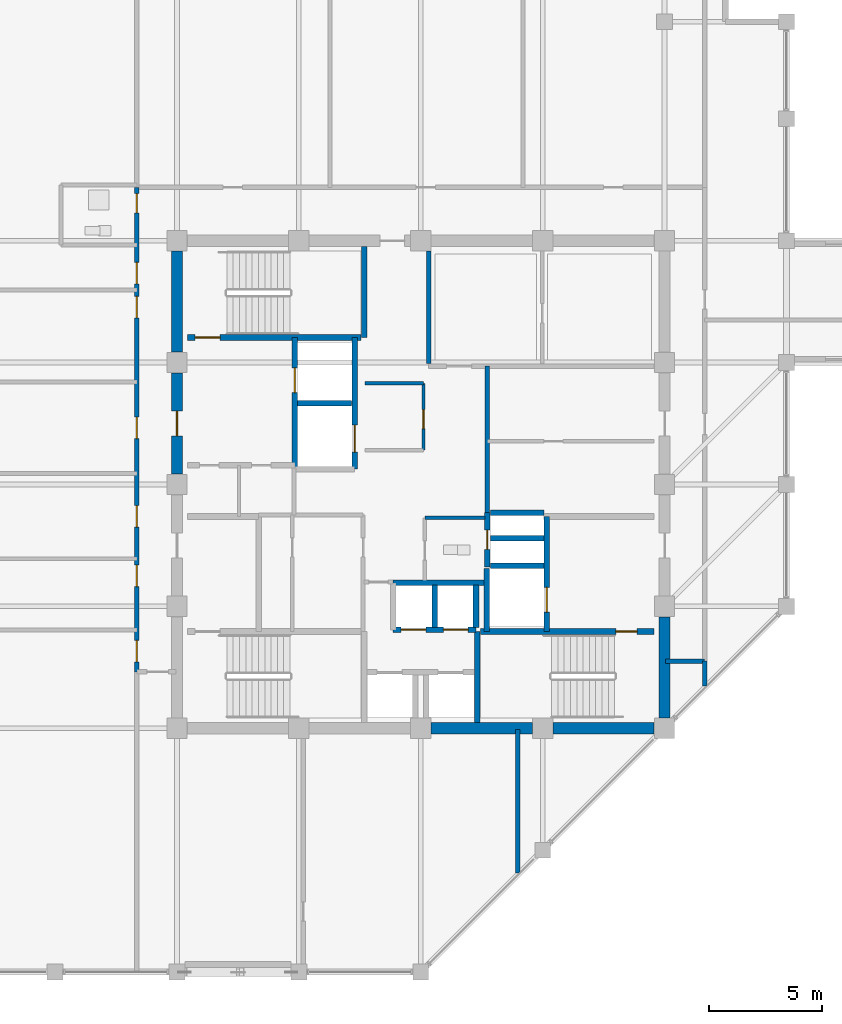
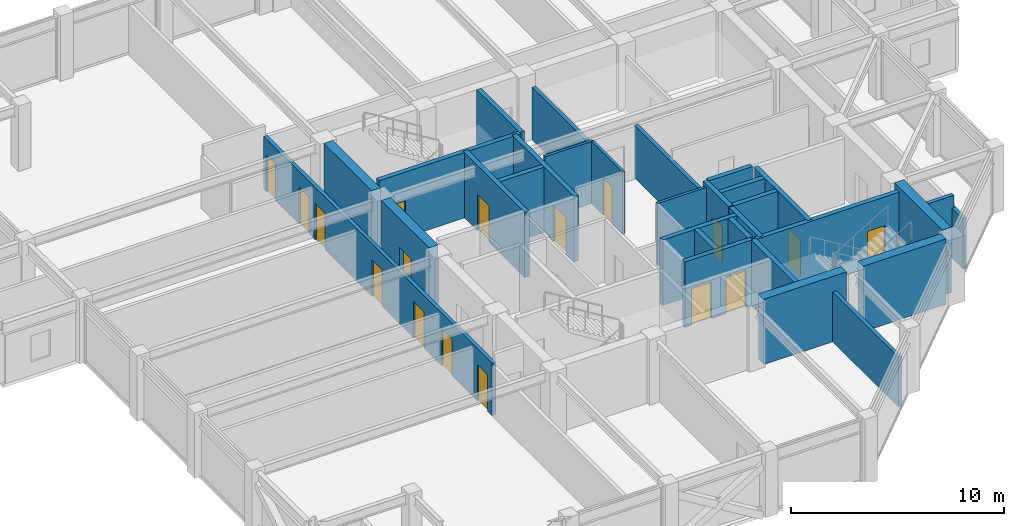
# One storey, part 26 of 31: 31 walls, 17 doors, 17 openings.
"""IFC4 building model written with IfcOpenShell, lengths in metres."""

from ifc_helpers import new_model, si_unit, direction, frame, frame_2d, origin, place, context, subcontext, project, spatial, rectangle, extrude, material, layer, layer_set, type_object, element, fill, save


model = new_model("IFC4")

# Units and contexts
model_context = context("Model", 3, precision=1e-05, world=origin(), true_north=direction((0.0, 1.0)))
body_context = subcontext(model_context, "Body", "Model", "MODEL_VIEW")
ifc_project = project(units=[si_unit("LENGTHUNIT", "METRE"), si_unit("AREAUNIT", "SQUARE_METRE"), si_unit("VOLUMEUNIT", "CUBIC_METRE"), si_unit("PLANEANGLEUNIT", "RADIAN"), si_unit("MASSUNIT", "GRAM", prefix="KILO")], contexts=[model_context])

# Site, building, storey
site_placement = place(None, origin())
site = spatial("IfcSite", under=ifc_project, at=site_placement, CompositionType="ELEMENT")
building_placement = place(site_placement, origin())
building = spatial("IfcBuilding", under=site, at=building_placement, Name="Surkhivell Harbour Commons", CompositionType="ELEMENT")
storey_placement = place(building_placement, frame((0.0, 0.0, 262.5)))
storey = spatial("IfcBuildingStorey", under=building, at=storey_placement, Name="L68", CompositionType="ELEMENT", Elevation=262.5)

# Walls
ifc_material_1 = material(Name="Concrete C50/60", Category="concrete")
ifc_layer_1 = layer(ifc_material_1, 0.5)
ifc_layer_set_1 = layer_set([ifc_layer_1], Name="Concrete C50/60")
wall_type_1 = type_object("IfcWallType", Name="WAL-CORE-500", PredefinedType="SHEAR", material=ifc_layer_set_1)
for number, where, z_axis, x_axis, name in (
    (1, (10.800048828125, -10.340087890625, 0.0), (0.0, 0.0, 1.0), (0.0, 1.0, 0.0), "L68 Core Shear Wall East 1"),
    (2, (0.4599609375, -10.800048828125, 0.0), (0.0, 0.0, 1.0), (1.0, 0.0, 0.0), "L68 Core Shear Wall South 3"),
):
    element("IfcWall", number, at=place(storey_placement, frame(where, z_axis=z_axis, x_axis=x_axis)), inside=storey, type_object=wall_type_1, Name=name, PredefinedType="SHEAR", context=body_context, shape_type="SweptSolid", body=[
        extrude(rectangle(XDim=4.47998046875, YDim=0.5, at=frame_2d((2.239990234375, 0.0))), origin(), (0.0, 0.0, 1.0), 3.75),
    ])

# Wall, opening, door
wall_1_placement = place(storey_placement, frame((-10.800048828125, 0.4599609375, 0.0), z_axis=(0.0, 0.0, 1.0), x_axis=(0.0, 1.0, 0.0)))
wall_1 = element("IfcWall", 3, at=wall_1_placement, inside=storey, type_object=wall_type_1, Name="L68 Core Shear Wall West 3", PredefinedType="SHEAR", context=body_context, shape_type="SweptSolid", body=[
    extrude(rectangle(XDim=4.47998046875, YDim=0.5, at=frame_2d((2.239990234375, 0.0))), origin(), (0.0, 0.0, 1.0), 3.75),
])
opening_1_placement = place(wall_1_placement, frame((1.68994140625, 0.0, 0.0)))
opening_1 = element("IfcOpeningElement", 4, at=opening_1_placement, cuts=wall_1, Name="Opening ID-1", PredefinedType="OPENING", context=body_context, shape_type="SweptSolid", body=[
    extrude(rectangle(XDim=1.10009765625, YDim=2.10009765625, at=frame_2d((0.550048828125, 1.050048828125))), frame((0.0, 0.260009765625, 0.0), z_axis=(0.0, -1.0, 0.0), x_axis=(1.0, 0.0, 0.0)), (0.0, 0.0, 1.0), 0.52001953125),
])
ifc_material_2 = material(Name="Hardwood-veneered fire-rated door leaf", Category="wood")
door_type_1 = type_object("IfcDoorType", Name="DOR-FD120-1100", OperationType="NOTDEFINED", PredefinedType="DOOR", material=ifc_material_2)
door_1_placement = place(opening_1_placement, origin())
door_1 = element("IfcDoor", 5, at=door_1_placement, inside=storey, type_object=door_type_1, Name="L68 Firefighting Lobby 1 Corridor Door", OperationType="SINGLE_SWING_LEFT", OverallHeight=2.10009765625, OverallWidth=1.10009765625, PredefinedType="DOOR", context=body_context, shape_type="SweptSolid", body=[
    extrude(rectangle(XDim=1.10009765625, YDim=2.10009765625, at=frame_2d((0.550048828125, 1.050048828125))), frame((0.0, 0.02490234375, 0.0), z_axis=(0.0, -1.0, 0.0), x_axis=(1.0, 0.0, 0.0)), (0.0, 0.0, 1.0), 0.050048828125),
])
fill(opening_1, door_1)

# Walls
for number, where, z_axis, x_axis, name in (
    (6, (5.860107421875, -10.800048828125, 0.0), (0.0, 0.0, 1.0), (1.0, 0.0, 0.0), "L68 Core Shear Wall South 4"),
    (7, (-10.800048828125, 5.860107421875, 0.0), (0.0, 0.0, 1.0), (0.0, 1.0, 0.0), "L68 Core Shear Wall West 4"),
):
    element("IfcWall", number, at=place(storey_placement, frame(where, z_axis=z_axis, x_axis=x_axis)), inside=storey, type_object=wall_type_1, Name=name, PredefinedType="SHEAR", context=body_context, shape_type="SweptSolid", body=[
        extrude(rectangle(XDim=4.47998046875, YDim=0.5, at=frame_2d((2.239990234375, 0.0))), origin(), (0.0, 0.0, 1.0), 3.75),
    ])
ifc_material_3 = material(Name="Twin-stud acoustic fireboard partition", Category="other")
ifc_layer_2 = layer(ifc_material_3, 0.14990234375)
ifc_layer_set_2 = layer_set([ifc_layer_2], Name="Twin-stud acoustic fireboard partition")
wall_type_2 = type_object("IfcWallType", Name="WAL-INT-150", PredefinedType="PARTITIONING", material=ifc_layer_set_2)
wall_2_placement = place(storey_placement, frame((0.179931640625, -1.47998046875, 0.0), z_axis=(0.0, 0.0, 1.0), x_axis=(1.0, 0.0, 0.0)))
element("IfcWall", 8, at=wall_2_placement, inside=storey, type_object=wall_type_2, Name="L68 Core Accessible WC North Wall", PredefinedType="PARTITIONING", context=body_context, shape_type="SweptSolid", body=[
    extrude(rectangle(XDim=2.670166015625, YDim=0.14990234375, at=frame_2d((1.3349609375, 0.0))), origin(), (0.0, 0.0, 1.0), 3.570068359375),
])

# Wall, opening, door
wall_3_placement = place(storey_placement, frame((0.1201171875, 1.52001953125, 0.0), z_axis=(0.0, 0.0, 1.0), x_axis=(0.0, 1.0, 0.0)))
wall_3 = element("IfcWall", 9, at=wall_3_placement, inside=storey, type_object=wall_type_2, Name="L68 Central Reading East Wall", PredefinedType="PARTITIONING", context=body_context, shape_type="SweptSolid", body=[
    extrude(rectangle(XDim=2.9599609375, YDim=0.14990234375, at=frame_2d((1.47998046875, 0.0))), origin(), (0.0, 0.0, 1.0), 3.570068359375),
])
opening_2_placement = place(wall_3_placement, frame((0.949951171875, 0.0, 0.0)))
opening_2 = element("IfcOpeningElement", 10, at=opening_2_placement, cuts=wall_3, Name="Opening ID-6", PredefinedType="OPENING", context=body_context, shape_type="SweptSolid", body=[
    extrude(rectangle(XDim=0.85009765625, YDim=2.10009765625, at=frame_2d((0.425048828125, 1.050048828125))), frame((0.0, 0.0849609375, 0.0), z_axis=(0.0, -1.0, 0.0), x_axis=(1.0, 0.0, 0.0)), (0.0, 0.0, 1.0), 0.169921875),
])
door_type_2 = type_object("IfcDoorType", Name="DOR-FD30-850", OperationType="NOTDEFINED", PredefinedType="DOOR", material=ifc_material_2)
door_2_placement = place(opening_2_placement, origin())
door_2 = element("IfcDoor", 11, at=door_2_placement, inside=storey, type_object=door_type_2, Name="L68 Central Core Reading Door", OperationType="SINGLE_SWING_RIGHT", OverallHeight=2.10009765625, OverallWidth=0.85009765625, PredefinedType="DOOR", context=body_context, shape_type="SweptSolid", body=[
    extrude(rectangle(XDim=0.85009765625, YDim=2.10009765625, at=frame_2d((0.425048828125, 1.050048828125))), frame((0.0, 0.02490234375, 0.0), z_axis=(0.0, -1.0, 0.0), x_axis=(1.0, 0.0, 0.0)), (0.0, 0.0, 1.0), 0.050048828125),
])
fill(opening_2, door_2)

# Walls
wall_4_placement = place(storey_placement, frame((-2.47998046875, 4.47998046875, 0.0), z_axis=(0.0, 0.0, 1.0), x_axis=(1.0, 0.0, 0.0)))
element("IfcWall", 12, at=wall_4_placement, inside=storey, type_object=wall_type_2, Name="L68 Central Reading North Wall", PredefinedType="PARTITIONING", context=body_context, shape_type="SweptSolid", body=[
    extrude(rectangle(XDim=2.60009765625, YDim=0.14990234375, at=frame_2d((1.300048828125, 0.0))), origin(), (0.0, 0.0, 1.0), 3.570068359375),
])
ifc_material_4 = material(Name="Autoclaved aerated concrete blockwork and fire plaster", Category="masonry")
ifc_layer_3 = layer(ifc_material_4, 0.199951171875)
ifc_layer_set_3 = layer_set([ifc_layer_3], Name="Autoclaved aerated concrete blockwork and fire plaster")
wall_type_3 = type_object("IfcWallType", Name="WAL-INT-200", PredefinedType="PARTITIONING", material=ifc_layer_set_3)
wall_5_placement = place(storey_placement, frame((0.35009765625, 5.360107421875, 0.0), z_axis=(0.0, 0.0, 1.0), x_axis=(0.0, 1.0, 0.0)))
element("IfcWall", 13, at=wall_5_placement, inside=storey, type_object=wall_type_3, Name="L68 Reclaimed Core North Bay West Wall", PredefinedType="PARTITIONING", context=body_context, shape_type="SweptSolid", body=[
    extrude(rectangle(XDim=4.97998046875, YDim=0.199951171875, at=frame_2d((2.489990234375, 0.0))), origin(), (0.0, 0.0, 1.0), 3.012939453125),
])
wall_6_placement = place(storey_placement, frame((12.580078125, -8.93505859375, 0.0), z_axis=(0.0, 0.0, 1.0), x_axis=(0.0, 1.0, 0.0)))
element("IfcWall", 14, at=wall_6_placement, inside=storey, type_object=wall_type_3, Name="L68 East Wing South Closure Wall", PredefinedType="PARTITIONING", context=body_context, shape_type="SweptSolid", body=[
    extrude(rectangle(XDim=1.114990234375, YDim=0.199951171875, at=frame_2d((0.5576171875, 0.0))), origin(), (0.0, 0.0, 1.0), 2.85693359375),
])
wall_7_placement = place(storey_placement, frame((10.85009765625, -7.820068359375, 0.0), z_axis=(0.0, 0.0, 1.0), x_axis=(1.0, 0.0, 0.0)))
element("IfcWall", 15, at=wall_7_placement, inside=storey, type_object=wall_type_3, Name="L68 East Corridor South Closure Wall", PredefinedType="PARTITIONING", context=body_context, shape_type="SweptSolid", body=[
    extrude(rectangle(XDim=1.72998046875, YDim=0.199951171875, at=frame_2d((0.864990234375, 0.0))), origin(), (0.0, 0.0, 1.0), 3.570068359375),
])
wall_8_placement = place(storey_placement, frame((4.300048828125, -17.215087890625, 0.0), z_axis=(0.0, 0.0, 1.0), x_axis=(0.0, 1.0, 0.0)))
element("IfcWall", 16, at=wall_8_placement, inside=storey, type_object=wall_type_3, Name="L68 South Hall East Wall", PredefinedType="PARTITIONING", context=body_context, shape_type="SweptSolid", body=[
    extrude(rectangle(XDim=6.364990234375, YDim=0.199951171875, at=frame_2d((3.1826171875, 0.0))), origin(), (0.0, 0.0, 1.0), 2.85693359375),
])

# Wall, openings, doors
wall_9_placement = place(storey_placement, frame((-12.580078125, -8.300048828125, 0.0), z_axis=(0.0, 0.0, 1.0), x_axis=(0.0, 1.0, 0.0)))
wall_9 = element("IfcWall", 17, at=wall_9_placement, inside=storey, type_object=wall_type_3, Name="L68 West Corridor Wall", PredefinedType="PARTITIONING", context=body_context, shape_type="SweptSolid", body=[
    extrude(rectangle(XDim=21.4599609375, YDim=0.199951171875, at=frame_2d((10.72998046875, 0.0))), origin(), (0.0, 0.0, 1.0), 3.012939453125),
])
opening_3_placement = place(wall_9_placement, frame((0.445068359375, 0.0, 0.0)))
opening_3 = element("IfcOpeningElement", 18, at=opening_3_placement, cuts=wall_9, Name="Opening ID-4", PredefinedType="OPENING", context=body_context, shape_type="SweptSolid", body=[
    extrude(rectangle(XDim=0.949951171875, YDim=2.10009765625, at=frame_2d((0.47509765625, 1.050048828125))), frame((0.0, 0.10986328125, 0.0), z_axis=(0.0, -1.0, 0.0), x_axis=(1.0, 0.0, 0.0)), (0.0, 0.0, 1.0), 0.219970703125),
])
opening_4_placement = place(wall_9_placement, frame((20.330078125, 0.0, 0.0)))
opening_4 = element("IfcOpeningElement", 19, at=opening_4_placement, cuts=wall_9, Name="Opening ID-6", PredefinedType="OPENING", context=body_context, shape_type="SweptSolid", body=[
    extrude(rectangle(XDim=0.85009765625, YDim=2.10009765625, at=frame_2d((0.425048828125, 1.050048828125))), frame((0.0, 0.10986328125, 0.0), z_axis=(0.0, -1.0, 0.0), x_axis=(1.0, 0.0, 0.0)), (0.0, 0.0, 1.0), 0.219970703125),
])
opening_5_placement = place(wall_9_placement, frame((17.18994140625, 0.0, 0.0)))
opening_5 = element("IfcOpeningElement", 20, at=opening_5_placement, cuts=wall_9, Name="Opening ID-4", PredefinedType="OPENING", context=body_context, shape_type="SweptSolid", body=[
    extrude(rectangle(XDim=0.949951171875, YDim=2.10009765625, at=frame_2d((0.47509765625, 1.050048828125))), frame((0.0, 0.10986328125, 0.0), z_axis=(0.0, -1.0, 0.0), x_axis=(1.0, 0.0, 0.0)), (0.0, 0.0, 1.0), 0.219970703125),
])
opening_6_placement = place(wall_9_placement, frame((3.780029296875, 0.0, 0.0)))
opening_6 = element("IfcOpeningElement", 21, at=opening_6_placement, cuts=wall_9, Name="Opening ID-4", PredefinedType="OPENING", context=body_context, shape_type="SweptSolid", body=[
    extrude(rectangle(XDim=0.949951171875, YDim=2.10009765625, at=frame_2d((0.47509765625, 1.050048828125))), frame((0.0, 0.10986328125, 0.0), z_axis=(0.0, -1.0, 0.0), x_axis=(1.0, 0.0, 0.0)), (0.0, 0.0, 1.0), 0.219970703125),
])
opening_7_placement = place(wall_9_placement, frame((6.4150390625, 0.0, 0.0)))
opening_7 = element("IfcOpeningElement", 22, at=opening_7_placement, cuts=wall_9, Name="Opening ID-4", PredefinedType="OPENING", context=body_context, shape_type="SweptSolid", body=[
    extrude(rectangle(XDim=0.949951171875, YDim=2.10009765625, at=frame_2d((0.47509765625, 1.050048828125))), frame((0.0, 0.10986328125, 0.0), z_axis=(0.0, -1.0, 0.0), x_axis=(1.0, 0.0, 0.0)), (0.0, 0.0, 1.0), 0.219970703125),
])
opening_8_placement = place(wall_9_placement, frame((10.330078125, 0.0, 0.0)))
opening_8 = element("IfcOpeningElement", 23, at=opening_8_placement, cuts=wall_9, Name="Opening ID-4", PredefinedType="OPENING", context=body_context, shape_type="SweptSolid", body=[
    extrude(rectangle(XDim=0.949951171875, YDim=2.10009765625, at=frame_2d((0.47509765625, 1.050048828125))), frame((0.0, 0.10986328125, 0.0), z_axis=(0.0, -1.0, 0.0), x_axis=(1.0, 0.0, 0.0)), (0.0, 0.0, 1.0), 0.219970703125),
])
opening_9_placement = place(wall_9_placement, frame((15.679931640625, 0.0, 0.0)))
opening_9 = element("IfcOpeningElement", 24, at=opening_9_placement, cuts=wall_9, Name="Opening ID-4", PredefinedType="OPENING", context=body_context, shape_type="SweptSolid", body=[
    extrude(rectangle(XDim=0.949951171875, YDim=2.10009765625, at=frame_2d((0.47509765625, 1.050048828125))), frame((0.0, 0.10986328125, 0.0), z_axis=(0.0, -1.0, 0.0), x_axis=(1.0, 0.0, 0.0)), (0.0, 0.0, 1.0), 0.219970703125),
])
door_3_placement = place(opening_4_placement, origin())
door_3 = element("IfcDoor", 25, at=door_3_placement, inside=storey, type_object=door_type_2, Name="L68 Communal Shower Bathroom West Door", OperationType="SINGLE_SWING_RIGHT", OverallHeight=2.10009765625, OverallWidth=0.85009765625, PredefinedType="DOOR", context=body_context, shape_type="SweptSolid", body=[
    extrude(rectangle(XDim=0.85009765625, YDim=2.10009765625, at=frame_2d((0.425048828125, 1.050048828125))), frame((0.0, 0.02490234375, 0.0), z_axis=(0.0, -1.0, 0.0), x_axis=(1.0, 0.0, 0.0)), (0.0, 0.0, 1.0), 0.050048828125),
])
fill(opening_4, door_3)
door_type_3 = type_object("IfcDoorType", Name="DOR-FD60-950", OperationType="NOTDEFINED", PredefinedType="DOOR", material=ifc_material_2)
door_4_placement = place(opening_3_placement, origin())
door_4 = element("IfcDoor", 26, at=door_4_placement, inside=storey, type_object=door_type_3, Name="L68 Shared Communal Kitchen West Door", OperationType="SINGLE_SWING_LEFT", OverallHeight=2.10009765625, OverallWidth=0.949951171875, PredefinedType="DOOR", context=body_context, shape_type="SweptSolid", body=[
    extrude(rectangle(XDim=0.949951171875, YDim=2.10009765625, at=frame_2d((0.47509765625, 1.050048828125))), frame((0.0, 0.02490234375, 0.0), z_axis=(0.0, -1.0, 0.0), x_axis=(1.0, 0.0, 0.0)), (0.0, 0.0, 1.0), 0.050048828125),
])
fill(opening_3, door_4)
door_5_placement = place(opening_5_placement, origin())
door_5 = element("IfcDoor", 27, at=door_5_placement, inside=storey, type_object=door_type_3, Name="L68 Academic Reading Commons West Door", OperationType="SINGLE_SWING_LEFT", OverallHeight=2.10009765625, OverallWidth=0.949951171875, PredefinedType="DOOR", context=body_context, shape_type="SweptSolid", body=[
    extrude(rectangle(XDim=0.949951171875, YDim=2.10009765625, at=frame_2d((0.47509765625, 1.050048828125))), frame((0.0, 0.02490234375, 0.0), z_axis=(0.0, -1.0, 0.0), x_axis=(1.0, 0.0, 0.0)), (0.0, 0.0, 1.0), 0.050048828125),
])
fill(opening_5, door_5)
door_6_placement = place(opening_6_placement, origin())
door_6 = element("IfcDoor", 28, at=door_6_placement, inside=storey, type_object=door_type_3, Name="L68 Hostel Cluster Bedroom 1 West Door", OperationType="SINGLE_SWING_RIGHT", OverallHeight=2.10009765625, OverallWidth=0.949951171875, PredefinedType="DOOR", context=body_context, shape_type="SweptSolid", body=[
    extrude(rectangle(XDim=0.949951171875, YDim=2.10009765625, at=frame_2d((0.47509765625, 1.050048828125))), frame((0.0, 0.02490234375, 0.0), z_axis=(0.0, -1.0, 0.0), x_axis=(1.0, 0.0, 0.0)), (0.0, 0.0, 1.0), 0.050048828125),
])
fill(opening_6, door_6)
door_7_placement = place(opening_7_placement, origin())
door_7 = element("IfcDoor", 29, at=door_7_placement, inside=storey, type_object=door_type_3, Name="L68 Co-Living Dormitory Bedroom 2 West Door", OperationType="SINGLE_SWING_LEFT", OverallHeight=2.10009765625, OverallWidth=0.949951171875, PredefinedType="DOOR", context=body_context, shape_type="SweptSolid", body=[
    extrude(rectangle(XDim=0.949951171875, YDim=2.10009765625, at=frame_2d((0.47509765625, 1.050048828125))), frame((0.0, 0.02490234375, 0.0), z_axis=(0.0, -1.0, 0.0), x_axis=(1.0, 0.0, 0.0)), (0.0, 0.0, 1.0), 0.050048828125),
])
fill(opening_7, door_7)
door_8_placement = place(opening_8_placement, origin())
door_8 = element("IfcDoor", 30, at=door_8_placement, inside=storey, type_object=door_type_3, Name="L68 Hostel Cluster Bedroom 3 West Door", OperationType="SINGLE_SWING_RIGHT", OverallHeight=2.10009765625, OverallWidth=0.949951171875, PredefinedType="DOOR", context=body_context, shape_type="SweptSolid", body=[
    extrude(rectangle(XDim=0.949951171875, YDim=2.10009765625, at=frame_2d((0.47509765625, 1.050048828125))), frame((0.0, 0.02490234375, 0.0), z_axis=(0.0, -1.0, 0.0), x_axis=(1.0, 0.0, 0.0)), (0.0, 0.0, 1.0), 0.050048828125),
])
fill(opening_8, door_8)
door_9_placement = place(opening_9_placement, origin())
door_9 = element("IfcDoor", 31, at=door_9_placement, inside=storey, type_object=door_type_3, Name="L68 Co-Living Dormitory Bedroom 4 West Door", OperationType="SINGLE_SWING_LEFT", OverallHeight=2.10009765625, OverallWidth=0.949951171875, PredefinedType="DOOR", context=body_context, shape_type="SweptSolid", body=[
    extrude(rectangle(XDim=0.949951171875, YDim=2.10009765625, at=frame_2d((0.47509765625, 1.050048828125))), frame((0.0, 0.02490234375, 0.0), z_axis=(0.0, -1.0, 0.0), x_axis=(1.0, 0.0, 0.0)), (0.0, 0.0, 1.0), 0.050048828125),
])
fill(opening_9, door_9)

# Wall
wall_10_placement = place(storey_placement, frame((2.949951171875, -1.25, 0.0), z_axis=(0.0, 0.0, 1.0), x_axis=(0.0, 1.0, 0.0)))
element("IfcWall", 32, at=wall_10_placement, inside=storey, type_object=wall_type_3, Name="L68 Reclaimed East Core West Wall", PredefinedType="PARTITIONING", context=body_context, shape_type="SweptSolid", body=[
    extrude(rectangle(XDim=6.489990234375, YDim=0.199951171875, at=frame_2d((3.2451171875, 0.0))), origin(), (0.0, 0.0, 1.0), 3.012939453125),
])

# Wall, opening, door
ifc_layer_4 = layer(ifc_material_1, 0.25)
ifc_layer_set_4 = layer_set([ifc_layer_4], Name="Concrete C50/60")
wall_type_4 = type_object("IfcWallType", Name="WAL-SHAFT-250", PredefinedType="SHEAR", material=ifc_layer_set_4)
wall_11_placement = place(storey_placement, frame((-5.580078125, 0.719970703125, 0.0), z_axis=(0.0, 0.0, 1.0), x_axis=(0.0, 1.0, 0.0)))
wall_11 = element("IfcWall", 33, at=wall_11_placement, inside=storey, type_object=wall_type_4, Name="L68 Firefighting Lobby 1 East Shaft Wall", PredefinedType="SHEAR", context=body_context, shape_type="SweptSolid", body=[
    extrude(rectangle(XDim=5.7900390625, YDim=0.25, at=frame_2d((2.89501953125, 0.0))), origin(), (0.0, 0.0, 1.0), 3.75),
])
opening_10_placement = place(wall_11_placement, frame((3.35009765625, 0.0, 0.0)))
opening_10 = element("IfcOpeningElement", 34, at=opening_10_placement, cuts=wall_11, Name="Opening LD-1", PredefinedType="OPENING", context=body_context, shape_type="SweptSolid", body=[
    extrude(rectangle(XDim=1.10009765625, YDim=2.10009765625, at=frame_2d((0.550048828125, 1.050048828125))), frame((0.0, 0.135009765625, 0.0), z_axis=(0.0, -1.0, 0.0), x_axis=(1.0, 0.0, 0.0)), (0.0, 0.0, 1.0), 0.27001953125),
])
ifc_material_5 = material(Name="Brushed stainless steel S355", Category="steel")
door_type_4 = type_object("IfcDoorType", Name="DOR-LD-1100", OperationType="SLIDING_TO_LEFT", PredefinedType="DOOR", material=ifc_material_5)
door_10_placement = place(opening_10_placement, origin())
door_10 = element("IfcDoor", 35, at=door_10_placement, inside=storey, type_object=door_type_4, Name="L68 Lift Landing Door LD-FFL1", OperationType="SLIDING_TO_LEFT", OverallHeight=2.10009765625, OverallWidth=1.10009765625, PredefinedType="DOOR", context=body_context, shape_type="SweptSolid", body=[
    extrude(rectangle(XDim=1.10009765625, YDim=2.10009765625, at=frame_2d((0.550048828125, 1.050048828125))), frame((0.0, 0.02490234375, 0.0), z_axis=(0.0, -1.0, 0.0), x_axis=(1.0, 0.0, 0.0)), (0.0, 0.0, 1.0), 0.050048828125),
])
fill(opening_10, door_10)

# Walls
wall_12_placement = place(storey_placement, frame((2.929931640625, -6.510009765625, 0.0), z_axis=(0.0, 0.0, 1.0), x_axis=(0.0, 1.0, 0.0)))
element("IfcWall", 36, at=wall_12_placement, inside=storey, type_object=wall_type_4, Name="L68 FFL2 West Shaft Wall", PredefinedType="SHEAR", context=body_context, shape_type="SweptSolid", body=[
    extrude(rectangle(XDim=2.7900390625, YDim=0.25, at=frame_2d((1.39501953125, 0.0))), origin(), (0.0, 0.0, 1.0), 3.75),
])
wall_13_placement = place(storey_placement, frame((3.080078125, -3.60009765625, 0.0), z_axis=(0.0, 0.0, 1.0), x_axis=(1.0, 0.0, 0.0)))
element("IfcWall", 37, at=wall_13_placement, inside=storey, type_object=wall_type_4, Name="L68 FFL2 North Shaft Wall", PredefinedType="SHEAR", context=body_context, shape_type="SweptSolid", body=[
    extrude(rectangle(XDim=2.369873046875, YDim=0.25, at=frame_2d((1.18505859375, 0.0))), origin(), (0.0, 0.0, 1.0), 3.75),
])

# Wall, opening, door
wall_14_placement = place(storey_placement, frame((5.580078125, -6.510009765625, 0.0), z_axis=(0.0, 0.0, 1.0), x_axis=(0.0, 1.0, 0.0)))
wall_14 = element("IfcWall", 38, at=wall_14_placement, inside=storey, type_object=wall_type_4, Name="L68 Firefighting Lobby 2 West Shaft Wall", PredefinedType="SHEAR", context=body_context, shape_type="SweptSolid", body=[
    extrude(rectangle(XDim=5.090087890625, YDim=0.25, at=frame_2d((2.544921875, 0.0))), origin(), (0.0, 0.0, 1.0), 3.75),
])
opening_11_placement = place(wall_14_placement, frame((0.85009765625, 0.0, 0.0)))
opening_11 = element("IfcOpeningElement", 39, at=opening_11_placement, cuts=wall_14, Name="Opening LD-1", PredefinedType="OPENING", context=body_context, shape_type="SweptSolid", body=[
    extrude(rectangle(XDim=1.10009765625, YDim=2.10009765625, at=frame_2d((0.550048828125, 1.050048828125))), frame((0.0, 0.135009765625, 0.0), z_axis=(0.0, -1.0, 0.0), x_axis=(1.0, 0.0, 0.0)), (0.0, 0.0, 1.0), 0.27001953125),
])
door_11_placement = place(opening_11_placement, origin())
door_11 = element("IfcDoor", 40, at=door_11_placement, inside=storey, type_object=door_type_4, Name="L68 Lift Landing Door LD-FFL2", OperationType="SLIDING_TO_RIGHT", OverallHeight=2.10009765625, OverallWidth=1.10009765625, PredefinedType="DOOR", context=body_context, shape_type="SweptSolid", body=[
    extrude(rectangle(XDim=1.10009765625, YDim=2.10009765625, at=frame_2d((0.550048828125, 1.050048828125))), frame((0.0, 0.02490234375, 0.0), z_axis=(0.0, -1.0, 0.0), x_axis=(1.0, 0.0, 0.0)), (0.0, 0.0, 1.0), 0.050048828125),
])
fill(opening_11, door_11)

# Walls
for number, where, z_axis, x_axis, name in (
    (41, (0.6201171875, -6.340087890625, 0.0), (0.0, 0.0, 1.0), (0.0, 1.0, 0.0), "L68 High-Rise Side Wall N"),
    (42, (2.449951171875, -6.340087890625, 0.0), (0.0, 0.0, 1.0), (0.0, 1.0, 0.0), "L68 High-Rise Side Wall N"),
):
    element("IfcWall", number, at=place(storey_placement, frame(where, z_axis=z_axis, x_axis=x_axis)), inside=storey, type_object=wall_type_4, Name=name, PredefinedType="SHEAR", context=body_context, shape_type="SweptSolid", body=[
        extrude(rectangle(XDim=1.880126953125, YDim=0.25, at=frame_2d((0.93994140625, 0.0))), origin(), (0.0, 0.0, 1.0), 3.75),
    ])

# Wall, openings, doors
wall_15_placement = place(storey_placement, frame((-1.219970703125, -6.43994140625, 0.0), z_axis=(0.0, 0.0, 1.0), x_axis=(1.0, 0.0, 0.0)))
wall_15 = element("IfcWall", 43, at=wall_15_placement, inside=storey, type_object=wall_type_4, Name="L68 High-Rise North Front Shaft Wall", PredefinedType="SHEAR", context=body_context, shape_type="SweptSolid", body=[
    extrude(rectangle(XDim=3.669921875, YDim=0.25, at=frame_2d((1.8349609375, 0.0))), origin(), (0.0, 0.0, 1.0), 3.75),
])
opening_12_placement = place(wall_15_placement, frame((0.35009765625, 0.0, 0.0)))
opening_12 = element("IfcOpeningElement", 44, at=opening_12_placement, cuts=wall_15, Name="Opening LD-1", PredefinedType="OPENING", context=body_context, shape_type="SweptSolid", body=[
    extrude(rectangle(XDim=1.10009765625, YDim=2.10009765625, at=frame_2d((0.550048828125, 1.050048828125))), frame((0.0, 0.135009765625, 0.0), z_axis=(0.0, -1.0, 0.0), x_axis=(1.0, 0.0, 0.0)), (0.0, 0.0, 1.0), 0.27001953125),
])
opening_13_placement = place(wall_15_placement, frame((2.219970703125, 0.0, 0.0)))
opening_13 = element("IfcOpeningElement", 45, at=opening_13_placement, cuts=wall_15, Name="Opening LD-1", PredefinedType="OPENING", context=body_context, shape_type="SweptSolid", body=[
    extrude(rectangle(XDim=1.10009765625, YDim=2.10009765625, at=frame_2d((0.550048828125, 1.050048828125))), frame((0.0, 0.135009765625, 0.0), z_axis=(0.0, -1.0, 0.0), x_axis=(1.0, 0.0, 0.0)), (0.0, 0.0, 1.0), 0.27001953125),
])
door_12_placement = place(opening_12_placement, origin())
door_12 = element("IfcDoor", 46, at=door_12_placement, inside=storey, type_object=door_type_4, Name="L68 Lift Landing Door LD-PH1", OperationType="SLIDING_TO_LEFT", OverallHeight=2.10009765625, OverallWidth=1.10009765625, PredefinedType="DOOR", context=body_context, shape_type="SweptSolid", body=[
    extrude(rectangle(XDim=1.10009765625, YDim=2.10009765625, at=frame_2d((0.550048828125, 1.050048828125))), frame((0.0, 0.02490234375, 0.0), z_axis=(0.0, -1.0, 0.0), x_axis=(1.0, 0.0, 0.0)), (0.0, 0.0, 1.0), 0.050048828125),
])
fill(opening_12, door_12)
door_13_placement = place(opening_13_placement, origin())
door_13 = element("IfcDoor", 47, at=door_13_placement, inside=storey, type_object=door_type_4, Name="L68 Lift Landing Door LD-PH2", OperationType="SLIDING_TO_LEFT", OverallHeight=2.10009765625, OverallWidth=1.10009765625, PredefinedType="DOOR", context=body_context, shape_type="SweptSolid", body=[
    extrude(rectangle(XDim=1.10009765625, YDim=2.10009765625, at=frame_2d((0.550048828125, 1.050048828125))), frame((0.0, 0.02490234375, 0.0), z_axis=(0.0, -1.0, 0.0), x_axis=(1.0, 0.0, 0.0)), (0.0, 0.0, 1.0), 0.050048828125),
])
fill(opening_13, door_13)

# Walls
wall_16_placement = place(storey_placement, frame((-1.219970703125, -4.360107421875, 0.0), z_axis=(0.0, 0.0, 1.0), x_axis=(1.0, 0.0, 0.0)))
element("IfcWall", 48, at=wall_16_placement, inside=storey, type_object=wall_type_4, Name="L68 High-Rise North Back Shaft Wall", PredefinedType="SHEAR", context=body_context, shape_type="SweptSolid", body=[
    extrude(rectangle(XDim=4.030029296875, YDim=0.25, at=frame_2d((2.01513671875, 0.0))), origin(), (0.0, 0.0, 1.0), 3.75),
])
for number, where, z_axis, x_axis, name in (
    (49, (3.080078125, -2.3798828125, 0.0), (0.0, 0.0, 1.0), (1.0, 0.0, 0.0), "L68 Riser Divider Wall"),
    (50, (3.080078125, -1.25, 0.0), (0.0, 0.0, 1.0), (1.0, 0.0, 0.0), "L68 Riser North Wall"),
):
    element("IfcWall", number, at=place(storey_placement, frame(where, z_axis=z_axis, x_axis=x_axis)), inside=storey, type_object=wall_type_4, Name=name, PredefinedType="SHEAR", context=body_context, shape_type="SweptSolid", body=[
        extrude(rectangle(XDim=2.369873046875, YDim=0.25, at=frame_2d((1.18505859375, 0.0))), origin(), (0.0, 0.0, 1.0), 3.75),
    ])

# Wall, opening, door
wall_17_placement = place(storey_placement, frame((2.949951171875, -3.64990234375, 0.0), z_axis=(0.0, 0.0, 1.0), x_axis=(0.0, 1.0, 0.0)))
wall_17 = element("IfcWall", 51, at=wall_17_placement, inside=storey, type_object=wall_type_4, Name="L68 Riser Shaft West Wall", PredefinedType="SHEAR", context=body_context, shape_type="SweptSolid", body=[
    extrude(rectangle(XDim=2.39990234375, YDim=0.25, at=frame_2d((1.199951171875, 0.0))), origin(), (0.0, 0.0, 1.0), 3.75),
])
opening_14_placement = place(wall_17_placement, frame((0.77490234375, 0.0, 0.0)))
opening_14 = element("IfcOpeningElement", 52, at=opening_14_placement, cuts=wall_17, Name="Opening ID-6", PredefinedType="OPENING", context=body_context, shape_type="SweptSolid", body=[
    extrude(rectangle(XDim=0.85009765625, YDim=2.10009765625, at=frame_2d((0.425048828125, 1.050048828125))), frame((0.0, 0.135009765625, 0.0), z_axis=(0.0, -1.0, 0.0), x_axis=(1.0, 0.0, 0.0)), (0.0, 0.0, 1.0), 0.27001953125),
])
door_14_placement = place(opening_14_placement, origin())
door_14 = element("IfcDoor", 53, at=door_14_placement, inside=storey, type_object=door_type_2, Name="L68 Electrical Riser Access Door", OperationType="SINGLE_SWING_LEFT", OverallHeight=2.10009765625, OverallWidth=0.85009765625, PredefinedType="DOOR", context=body_context, shape_type="SweptSolid", body=[
    extrude(rectangle(XDim=0.85009765625, YDim=2.10009765625, at=frame_2d((0.425048828125, 1.050048828125))), frame((0.0, 0.02490234375, 0.0), z_axis=(0.0, -1.0, 0.0), x_axis=(1.0, 0.0, 0.0)), (0.0, 0.0, 1.0), 0.050048828125),
])
fill(opening_14, door_14)

# Wall
wall_18_placement = place(storey_placement, frame((-2.510009765625, 6.510009765625, 0.0), z_axis=(0.0, 0.0, 1.0), x_axis=(0.0, 1.0, 0.0)))
element("IfcWall", 54, at=wall_18_placement, inside=storey, type_object=wall_type_4, Name="L68 Stair ST1 East Shear Wall", PredefinedType="SHEAR", context=body_context, shape_type="SweptSolid", body=[
    extrude(rectangle(XDim=4.0400390625, YDim=0.25, at=frame_2d((2.02001953125, 0.0))), origin(), (0.0, 0.0, 1.0), 3.75),
])

# Wall, opening, door
wall_19_placement = place(storey_placement, frame((-10.340087890625, 6.510009765625, 0.0), z_axis=(0.0, 0.0, 1.0), x_axis=(1.0, 0.0, 0.0)))
wall_19 = element("IfcWall", 55, at=wall_19_placement, inside=storey, type_object=wall_type_4, Name="L68 Stair ST1 South Shear Wall", PredefinedType="SHEAR", context=body_context, shape_type="SweptSolid", body=[
    extrude(rectangle(XDim=7.7001953125, YDim=0.25, at=frame_2d((3.85009765625, 0.0))), origin(), (0.0, 0.0, 1.0), 3.75),
])
opening_15_placement = place(wall_19_placement, frame((0.35009765625, 0.0, 0.0)))
opening_15 = element("IfcOpeningElement", 56, at=opening_15_placement, cuts=wall_19, Name="Opening ID-2", PredefinedType="OPENING", context=body_context, shape_type="SweptSolid", body=[
    extrude(rectangle(XDim=1.10009765625, YDim=2.10009765625, at=frame_2d((0.550048828125, 1.050048828125))), frame((0.0, 0.135009765625, 0.0), z_axis=(0.0, -1.0, 0.0), x_axis=(1.0, 0.0, 0.0)), (0.0, 0.0, 1.0), 0.27001953125),
])
door_type_5 = type_object("IfcDoorType", Name="DOR-FD60-1100", OperationType="NOTDEFINED", PredefinedType="DOOR", material=ifc_material_2)
door_15_placement = place(opening_15_placement, origin())
door_15 = element("IfcDoor", 57, at=door_15_placement, inside=storey, type_object=door_type_5, Name="L68 Stair ST1 Exit Door", OperationType="SINGLE_SWING_LEFT", OverallHeight=2.10009765625, OverallWidth=1.10009765625, PredefinedType="DOOR", context=body_context, shape_type="SweptSolid", body=[
    extrude(rectangle(XDim=1.10009765625, YDim=2.10009765625, at=frame_2d((0.550048828125, 1.050048828125))), frame((0.0, 0.02490234375, 0.0), z_axis=(0.0, -1.0, 0.0), x_axis=(1.0, 0.0, 0.0)), (0.0, 0.0, 1.0), 0.050048828125),
])
fill(opening_15, door_15)

wall_20_placement = place(storey_placement, frame((2.639892578125, -6.510009765625, 0.0), z_axis=(0.0, 0.0, 1.0), x_axis=(1.0, 0.0, 0.0)))
wall_20 = element("IfcWall", 58, at=wall_20_placement, inside=storey, type_object=wall_type_4, Name="L68 Stair ST2 North Shear Wall", PredefinedType="SHEAR", context=body_context, shape_type="SweptSolid", body=[
    extrude(rectangle(XDim=7.7001953125, YDim=0.25, at=frame_2d((3.85009765625, 0.0))), origin(), (0.0, 0.0, 1.0), 3.75),
])
opening_16_placement = place(wall_20_placement, frame((6.0, 0.0, 0.0)))
opening_16 = element("IfcOpeningElement", 59, at=opening_16_placement, cuts=wall_20, Name="Opening ID-4", PredefinedType="OPENING", context=body_context, shape_type="SweptSolid", body=[
    extrude(rectangle(XDim=0.949951171875, YDim=2.10009765625, at=frame_2d((0.47509765625, 1.050048828125))), frame((0.0, 0.135009765625, 0.0), z_axis=(0.0, -1.0, 0.0), x_axis=(1.0, 0.0, 0.0)), (0.0, 0.0, 1.0), 0.27001953125),
])
door_16_placement = place(opening_16_placement, origin())
door_16 = element("IfcDoor", 60, at=door_16_placement, inside=storey, type_object=door_type_3, Name="L68 Stair ST2 Exit Door", OperationType="SINGLE_SWING_RIGHT", OverallHeight=2.10009765625, OverallWidth=0.949951171875, PredefinedType="DOOR", context=body_context, shape_type="SweptSolid", body=[
    extrude(rectangle(XDim=0.949951171875, YDim=2.10009765625, at=frame_2d((0.47509765625, 1.050048828125))), frame((0.0, 0.02490234375, 0.0), z_axis=(0.0, -1.0, 0.0), x_axis=(1.0, 0.0, 0.0)), (0.0, 0.0, 1.0), 0.050048828125),
])
fill(opening_16, door_16)

# Wall
wall_21_placement = place(storey_placement, frame((2.510009765625, -10.550048828125, 0.0), z_axis=(0.0, 0.0, 1.0), x_axis=(0.0, 1.0, 0.0)))
element("IfcWall", 61, at=wall_21_placement, inside=storey, type_object=wall_type_4, Name="L68 Stair ST2 West Shear Wall", PredefinedType="SHEAR", context=body_context, shape_type="SweptSolid", body=[
    extrude(rectangle(XDim=4.0400390625, YDim=0.25, at=frame_2d((2.02001953125, 0.0))), origin(), (0.0, 0.0, 1.0), 3.75),
])

# Wall, opening, door
wall_22_placement = place(storey_placement, frame((-2.929931640625, 0.679931640625, 0.0), z_axis=(0.0, 0.0, 1.0), x_axis=(0.0, 1.0, 0.0)))
wall_22 = element("IfcWall", 62, at=wall_22_placement, inside=storey, type_object=wall_type_4, Name="L68 Service and Fire Lift East Shaft Wall", PredefinedType="SHEAR", context=body_context, shape_type="SweptSolid", body=[
    extrude(rectangle(XDim=5.830078125, YDim=0.25, at=frame_2d((2.9150390625, 0.0))), origin(), (0.0, 0.0, 1.0), 3.75),
])
opening_17_placement = place(wall_22_placement, frame((0.75, 0.0, 0.0)))
opening_17 = element("IfcOpeningElement", 63, at=opening_17_placement, cuts=wall_22, Name="Opening LD-2", PredefinedType="OPENING", context=body_context, shape_type="SweptSolid", body=[
    extrude(rectangle(XDim=1.199951171875, YDim=2.10009765625, at=frame_2d((0.60009765625, 1.050048828125))), frame((0.0, 0.135009765625, 0.0), z_axis=(0.0, -1.0, 0.0), x_axis=(1.0, 0.0, 0.0)), (0.0, 0.0, 1.0), 0.27001953125),
])
door_type_6 = type_object("IfcDoorType", Name="DOR-LD-1200", OperationType="SLIDING_TO_LEFT", PredefinedType="DOOR", material=ifc_material_5)
door_17_placement = place(opening_17_placement, origin())
door_17 = element("IfcDoor", 64, at=door_17_placement, inside=storey, type_object=door_type_6, Name="L68 Lift Landing Door LD-SVL1", OperationType="SLIDING_TO_LEFT", OverallHeight=2.10009765625, OverallWidth=1.199951171875, PredefinedType="DOOR", context=body_context, shape_type="SweptSolid", body=[
    extrude(rectangle(XDim=1.199951171875, YDim=2.10009765625, at=frame_2d((0.60009765625, 1.050048828125))), frame((0.0, 0.02490234375, 0.0), z_axis=(0.0, -1.0, 0.0), x_axis=(1.0, 0.0, 0.0)), (0.0, 0.0, 1.0), 0.050048828125),
])
fill(opening_17, door_17)

# Wall
wall_23_placement = place(storey_placement, frame((-5.449951171875, 3.60009765625, 0.0), z_axis=(0.0, 0.0, 1.0), x_axis=(1.0, 0.0, 0.0)))
element("IfcWall", 65, at=wall_23_placement, inside=storey, type_object=wall_type_4, Name="L68 FFL1/SVL1 Shaft Divider", PredefinedType="SHEAR", context=body_context, shape_type="SweptSolid", body=[
    extrude(rectangle(XDim=2.389892578125, YDim=0.25, at=frame_2d((1.19482421875, 0.0))), origin(), (0.0, 0.0, 1.0), 3.75),
])

save(model, "model.ifc")
